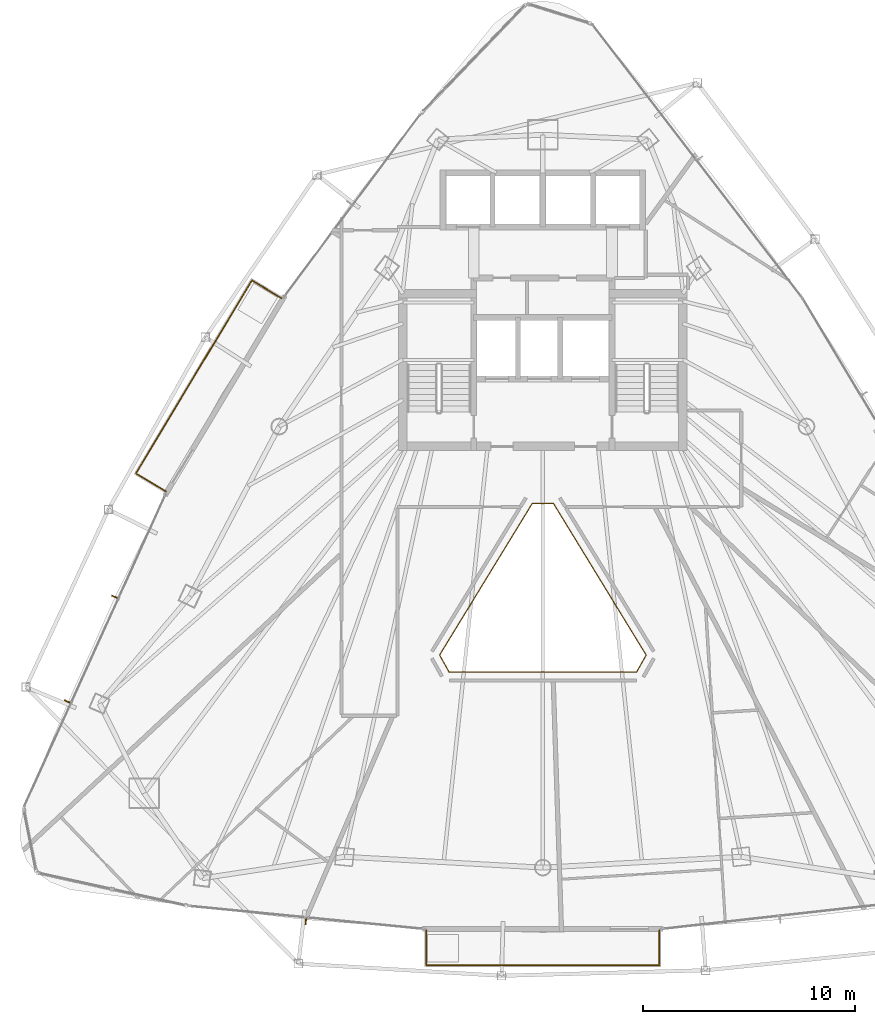
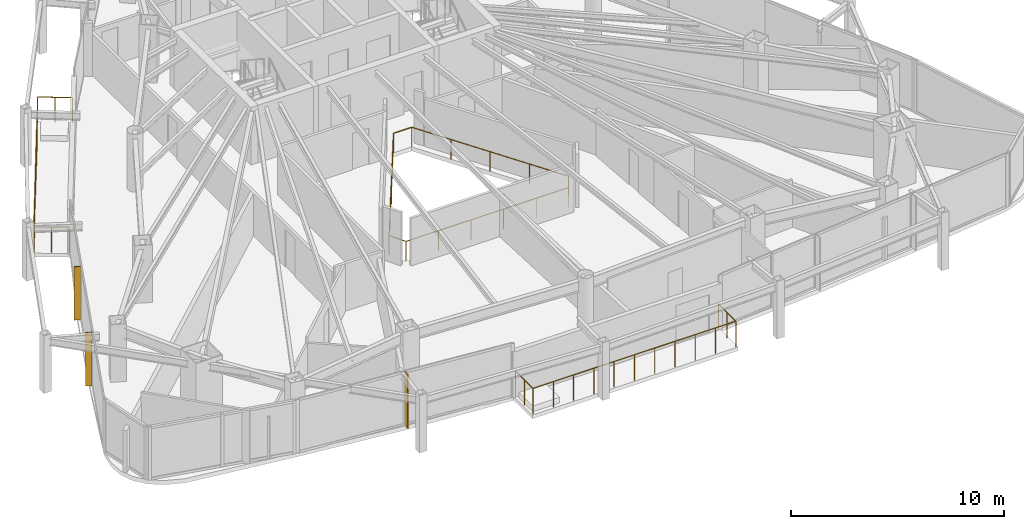
# One storey, part 27 of 29: 3 railings, 3 shading devices.
"""IFC4 building model written with IfcOpenShell, lengths in metres."""

from ifc_helpers import new_model, si_unit, direction, frame, origin, origin_2d, place, context, subcontext, project, spatial, rectangle, circle, extrude, material, layer, layer_set, type_object, element, save


model = new_model("IFC4")

# Units and contexts
model_context = context("Model", 3, precision=1e-05, world=origin(), true_north=direction((0.0, 1.0)))
body_context = subcontext(model_context, "Body", "Model", "MODEL_VIEW")
ifc_project = project(units=[si_unit("LENGTHUNIT", "METRE"), si_unit("AREAUNIT", "SQUARE_METRE"), si_unit("VOLUMEUNIT", "CUBIC_METRE"), si_unit("PLANEANGLEUNIT", "RADIAN"), si_unit("MASSUNIT", "GRAM", prefix="KILO")], contexts=[model_context])

# Site, building, storey
site_placement = place(None, origin())
site = spatial("IfcSite", under=ifc_project, at=site_placement, CompositionType="ELEMENT")
building_placement = place(site_placement, origin())
building = spatial("IfcBuilding", under=site, at=building_placement, Name="Orvanel Arch Residences", CompositionType="ELEMENT")
storey_placement = place(building_placement, frame((0.0, 0.0, 170.449951171875)))
storey = spatial("IfcBuildingStorey", under=building, at=storey_placement, Name="L48", CompositionType="ELEMENT", Elevation=170.449951171875)

# Shading devices
ifc_material = material(Name="Bronze-anodised aluminium AA6063-T6", Category="aluminium")
ifc_layer = layer(ifc_material, 0.054931640625)
ifc_layer_set = layer_set([ifc_layer], Name="Bronze-anodised aluminium AA6063-T6")
shading_device_type = type_object("IfcShadingDeviceType", Name="FIN-BRZ-320", PredefinedType="USERDEFINED", material=ifc_layer_set)
for number, where, z_axis, x_axis, name in (
    (1, (12.81689453125, 19.60888671875, 0.0), (0.0, 0.0, 1.0), (-0.910683660806, 0.413104429825, 0.0), "L48 Anodised Bronze Mullion FIN 01"),
    (2, (10.5830078125, 14.677978515625, 0.0), (0.0, 0.0, 1.0), (-0.910683660806, 0.413104429825, 0.0), "L48 Anodised Bronze Mullion FIN 02"),
    (3, (21.824951171875, 4.304931640625, 0.0), (0.0, 0.0, 1.0), (-0.097582899759, -0.995227399982, 0.0), "L48 Anodised Bronze Mullion FIN 01"),
):
    element("IfcShadingDevice", number, at=place(storey_placement, frame(where, z_axis=z_axis, x_axis=x_axis)), inside=storey, type_object=shading_device_type, Name=name, ObjectType="FIN", PredefinedType="USERDEFINED", context=body_context, shape_type="SweptSolid", body=[
        extrude(rectangle(XDim=0.320068359375, YDim=0.054931640625, at=origin_2d()), origin(), (0.0, 0.0, 1.0), 3.06005859375),
    ])

# Railings
railing_type_1 = type_object("IfcRailingType", Name="RL-ATR-1150", PredefinedType="BALUSTRADE", material=ifc_material)
railing_1_placement = place(storey_placement, frame((33.492919921875, 24.01904296875, 0.0)))
element("IfcRailing", 4, at=railing_1_placement, inside=storey, type_object=railing_type_1, Name="L48 Atrium Void Protective Balustrade", PredefinedType="BALUSTRADE", context=body_context, shape_type="SweptSolid", body=[
    extrude(circle(Radius=0.02392578125, at=origin_2d()), frame((-0.00146484375, 0.0, 1.1259765625), z_axis=(-1.0, 0.0, 0.0), x_axis=(0.0, -1.0, 0.0)), (0.0, 0.0, 1.0), 0.98291015625),
    extrude(circle(Radius=0.02392578125, at=origin_2d()), frame((-0.986572265625, -0.001220703125, 1.1259765625), z_axis=(-0.521599593789, -0.853190402993, 0.0), x_axis=(0.853190402993, -0.521599593789, 0.0)), (0.0, 0.0, 1.0), 8.380859375),
    extrude(circle(Radius=0.02392578125, at=origin_2d()), frame((-5.358154296875, -7.154296875, 1.1259765625), z_axis=(0.489446762149, -0.872033180001, 0.0), x_axis=(0.872033180001, 0.489446762149, 0.0)), (0.0, 0.0, 1.0), 0.92236328125),
    extrude(circle(Radius=0.02392578125, at=origin_2d()), frame((-4.904541015625, -7.9599609375, 1.1259765625), z_axis=(1.0, 0.0, 0.0), x_axis=(0.0, 1.0, 0.0)), (0.0, 0.0, 1.0), 8.8232421875),
    extrude(circle(Radius=0.02392578125, at=origin_2d()), frame((3.9208984375, -7.958740234375, 1.1259765625), z_axis=(0.489446762149, 0.872033180001, 0.0), x_axis=(-0.872033180001, 0.489446762149, 0.0)), (0.0, 0.0, 1.0), 0.92236328125),
    extrude(circle(Radius=0.02392578125, at=origin_2d()), frame((4.372314453125, -7.15185546875, 1.1259765625), z_axis=(-0.521599593789, 0.853190402993, 0.0), x_axis=(-0.853190402993, -0.521599593789, 0.0)), (0.0, 0.0, 1.0), 8.380859375),
    extrude(circle(Radius=0.02099609375, at=origin_2d()), origin(), (0.0, 0.0, 1.0), 1.099853515625),
    extrude(circle(Radius=0.02099609375, at=origin_2d()), frame((-0.98583984375, 0.0, 0.0)), (0.0, 0.0, 1.0), 1.099853515625),
    extrude(circle(Radius=0.02099609375, at=origin_2d()), frame((-2.0791015625, -1.788330078125, 0.0)), (0.0, 0.0, 1.0), 1.099853515625),
    extrude(circle(Radius=0.02099609375, at=origin_2d()), frame((-3.17236328125, -3.57666015625, 0.0)), (0.0, 0.0, 1.0), 1.099853515625),
    extrude(circle(Radius=0.02099609375, at=origin_2d()), frame((-4.265625, -5.36474609375, 0.0)), (0.0, 0.0, 1.0), 1.099853515625),
    extrude(circle(Radius=0.02099609375, at=origin_2d()), frame((-5.35888671875, -7.153076171875, 0.0)), (0.0, 0.0, 1.0), 1.099853515625),
    extrude(circle(Radius=0.02099609375, at=origin_2d()), frame((-4.906005859375, -7.9599609375, 0.0)), (0.0, 0.0, 1.0), 1.099853515625),
    extrude(circle(Radius=0.02099609375, at=origin_2d()), frame((-3.140869140625, -7.9599609375, 0.0)), (0.0, 0.0, 1.0), 1.099853515625),
    extrude(circle(Radius=0.02099609375, at=origin_2d()), frame((-1.37548828125, -7.9599609375, 0.0)), (0.0, 0.0, 1.0), 1.099853515625),
    extrude(circle(Radius=0.02099609375, at=origin_2d()), frame((0.3896484375, -7.9599609375, 0.0)), (0.0, 0.0, 1.0), 1.099853515625),
    extrude(circle(Radius=0.02099609375, at=origin_2d()), frame((2.155029296875, -7.9599609375, 0.0)), (0.0, 0.0, 1.0), 1.099853515625),
    extrude(circle(Radius=0.02099609375, at=origin_2d()), frame((3.920166015625, -7.9599609375, 0.0)), (0.0, 0.0, 1.0), 1.099853515625),
    extrude(circle(Radius=0.02099609375, at=origin_2d()), frame((4.373046875, -7.153076171875, 0.0)), (0.0, 0.0, 1.0), 1.099853515625),
    extrude(circle(Radius=0.02099609375, at=origin_2d()), frame((3.27978515625, -5.36474609375, 0.0)), (0.0, 0.0, 1.0), 1.099853515625),
    extrude(circle(Radius=0.02099609375, at=origin_2d()), frame((2.1865234375, -3.57666015625, 0.0)), (0.0, 0.0, 1.0), 1.099853515625),
    extrude(circle(Radius=0.02099609375, at=origin_2d()), frame((1.09326171875, -1.788330078125, 0.0)), (0.0, 0.0, 1.0), 1.099853515625),
])
railing_type_2 = type_object("IfcRailingType", Name="RL-BAL-1480", PredefinedType="BALUSTRADE", material=ifc_material)
railing_2_placement = place(storey_placement, frame((20.68310546875, 33.68896484375, 0.0)))
element("IfcRailing", 5, at=railing_2_placement, inside=storey, type_object=railing_type_2, Name="L48 Balcony Perimeter Guardrail Face 1", PredefinedType="BALUSTRADE", context=body_context, shape_type="SweptSolid", body=[
    extrude(circle(Radius=0.02392578125, at=origin_2d()), frame((-0.001220703125, 0.000732421875, 1.4560546875), z_axis=(-0.857387817543, 0.514670895164, 0.0), x_axis=(-0.514670895164, -0.857387817543, 0.0)), (0.0, 0.0, 1.0), 1.636962890625),
    extrude(circle(Radius=0.02392578125, at=origin_2d()), frame((-1.40673828125, 0.8427734375, 1.4560546875), z_axis=(-0.514411251887, -0.857543622175, 0.0), x_axis=(0.857543622175, -0.514411251887, 0.0)), (0.0, 0.0, 1.0), 10.619140625),
    extrude(circle(Radius=0.02392578125, at=origin_2d()), frame((-6.868896484375, -8.265625, 1.4560546875), z_axis=(0.857545439568, -0.514408222208, 0.0), x_axis=(0.514408222208, 0.857545439568, 0.0)), (0.0, 0.0, 1.0), 1.6376953125),
    extrude(circle(Radius=0.02099609375, at=origin_2d()), origin(), (0.0, 0.0, 1.0), 1.429931640625),
    extrude(circle(Radius=0.02099609375, at=origin_2d()), frame((-0.703125, 0.421875, 0.0)), (0.0, 0.0, 1.0), 1.429931640625),
    extrude(circle(Radius=0.02099609375, at=origin_2d()), frame((-1.406005859375, 0.843994140625, 0.0)), (0.0, 0.0, 1.0), 1.429931640625),
    extrude(circle(Radius=0.02099609375, at=origin_2d()), frame((-2.01318359375, -0.168212890625, 0.0)), (0.0, 0.0, 1.0), 1.429931640625),
    extrude(circle(Radius=0.02099609375, at=origin_2d()), frame((-2.620361328125, -1.18017578125, 0.0)), (0.0, 0.0, 1.0), 1.429931640625),
    extrude(circle(Radius=0.02099609375, at=origin_2d()), frame((-3.227294921875, -2.1923828125, 0.0)), (0.0, 0.0, 1.0), 1.429931640625),
    extrude(circle(Radius=0.02099609375, at=origin_2d()), frame((-3.83447265625, -3.204345703125, 0.0)), (0.0, 0.0, 1.0), 1.429931640625),
    extrude(circle(Radius=0.02099609375, at=origin_2d()), frame((-4.441650390625, -4.216552734375, 0.0)), (0.0, 0.0, 1.0), 1.429931640625),
    extrude(circle(Radius=0.02099609375, at=origin_2d()), frame((-5.048828125, -5.228515625, 0.0)), (0.0, 0.0, 1.0), 1.429931640625),
    extrude(circle(Radius=0.02099609375, at=origin_2d()), frame((-5.65576171875, -6.24072265625, 0.0)), (0.0, 0.0, 1.0), 1.429931640625),
    extrude(circle(Radius=0.02099609375, at=origin_2d()), frame((-6.262939453125, -7.252685546875, 0.0)), (0.0, 0.0, 1.0), 1.429931640625),
    extrude(circle(Radius=0.02099609375, at=origin_2d()), frame((-6.8701171875, -8.264892578125, 0.0)), (0.0, 0.0, 1.0), 1.429931640625),
    extrude(circle(Radius=0.02099609375, at=origin_2d()), frame((-6.16650390625, -8.68701171875, 0.0)), (0.0, 0.0, 1.0), 1.429931640625),
    extrude(circle(Radius=0.02099609375, at=origin_2d()), frame((-5.463134765625, -9.10888671875, 0.0)), (0.0, 0.0, 1.0), 1.429931640625),
])
railing_3_placement = place(storey_placement, frame((27.501953125, 3.885009765625, 0.0)))
element("IfcRailing", 6, at=railing_3_placement, inside=storey, type_object=railing_type_2, Name="L48 Balcony Perimeter Guardrail Face 2", PredefinedType="BALUSTRADE", context=body_context, shape_type="SweptSolid", body=[
    extrude(circle(Radius=0.02392578125, at=origin_2d()), frame((0.0, -0.00146484375, 1.4560546875), z_axis=(0.0, -1.0, 0.0), x_axis=(1.0, 0.0, 0.0)), (0.0, 0.0, 1.0), 1.636962890625),
    extrude(circle(Radius=0.02392578125, at=origin_2d()), frame((0.00146484375, -1.639892578125, 1.4560546875), z_axis=(1.0, 0.0, 0.0), x_axis=(0.0, 1.0, 0.0)), (0.0, 0.0, 1.0), 10.9931640625),
    extrude(circle(Radius=0.02392578125, at=origin_2d()), frame((10.99609375, -1.638427734375, 1.4560546875), z_axis=(0.0, 1.0, 0.0), x_axis=(-1.0, 0.0, 0.0)), (0.0, 0.0, 1.0), 1.636962890625),
    extrude(circle(Radius=0.02099609375, at=origin_2d()), origin(), (0.0, 0.0, 1.0), 1.429931640625),
    extrude(circle(Radius=0.02099609375, at=origin_2d()), frame((0.0, -0.81982421875, 0.0)), (0.0, 0.0, 1.0), 1.429931640625),
    extrude(circle(Radius=0.02099609375, at=origin_2d()), frame((0.0, -1.639892578125, 0.0)), (0.0, 0.0, 1.0), 1.429931640625),
    extrude(circle(Radius=0.02099609375, at=origin_2d()), frame((1.099609375, -1.639892578125, 0.0)), (0.0, 0.0, 1.0), 1.429931640625),
    extrude(circle(Radius=0.02099609375, at=origin_2d()), frame((2.19921875, -1.639892578125, 0.0)), (0.0, 0.0, 1.0), 1.429931640625),
    extrude(circle(Radius=0.02099609375, at=origin_2d()), frame((3.298828125, -1.639892578125, 0.0)), (0.0, 0.0, 1.0), 1.429931640625),
    extrude(circle(Radius=0.02099609375, at=origin_2d()), frame((4.3984375, -1.639892578125, 0.0)), (0.0, 0.0, 1.0), 1.429931640625),
    extrude(circle(Radius=0.02099609375, at=origin_2d()), frame((5.498046875, -1.639892578125, 0.0)), (0.0, 0.0, 1.0), 1.429931640625),
    extrude(circle(Radius=0.02099609375, at=origin_2d()), frame((6.59765625, -1.639892578125, 0.0)), (0.0, 0.0, 1.0), 1.429931640625),
    extrude(circle(Radius=0.02099609375, at=origin_2d()), frame((7.697265625, -1.639892578125, 0.0)), (0.0, 0.0, 1.0), 1.429931640625),
    extrude(circle(Radius=0.02099609375, at=origin_2d()), frame((8.796875, -1.639892578125, 0.0)), (0.0, 0.0, 1.0), 1.429931640625),
    extrude(circle(Radius=0.02099609375, at=origin_2d()), frame((9.896484375, -1.639892578125, 0.0)), (0.0, 0.0, 1.0), 1.429931640625),
    extrude(circle(Radius=0.02099609375, at=origin_2d()), frame((10.99609375, -1.639892578125, 0.0)), (0.0, 0.0, 1.0), 1.429931640625),
    extrude(circle(Radius=0.02099609375, at=origin_2d()), frame((10.99609375, -0.81982421875, 0.0)), (0.0, 0.0, 1.0), 1.429931640625),
    extrude(circle(Radius=0.02099609375, at=origin_2d()), frame((10.99609375, 0.0, 0.0)), (0.0, 0.0, 1.0), 1.429931640625),
])

save(model, "model.ifc")
